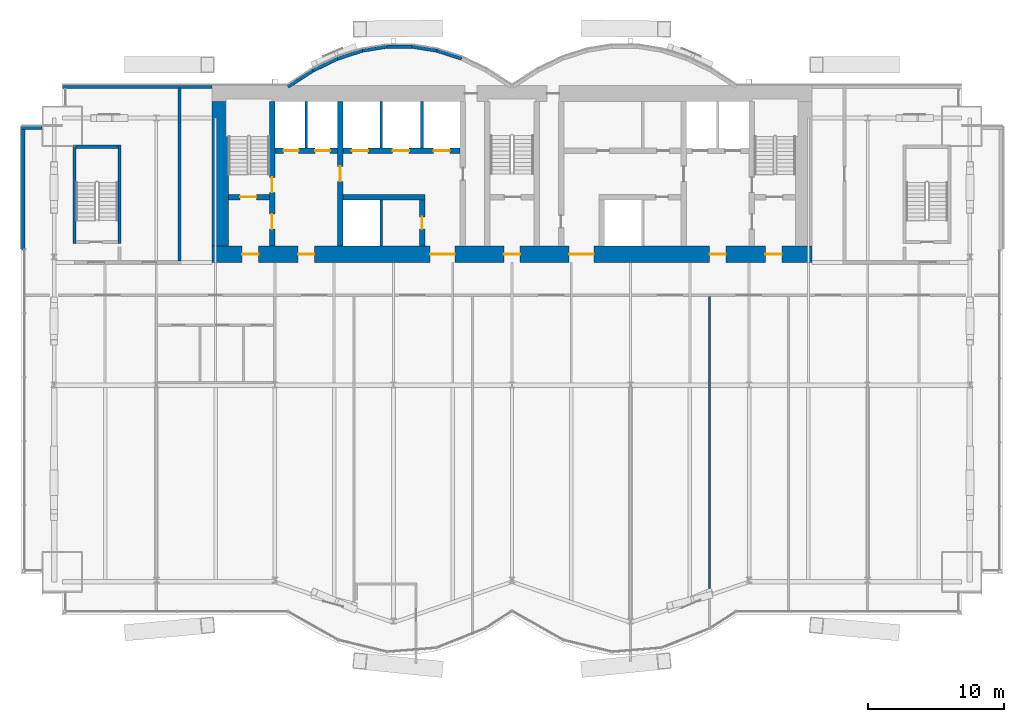
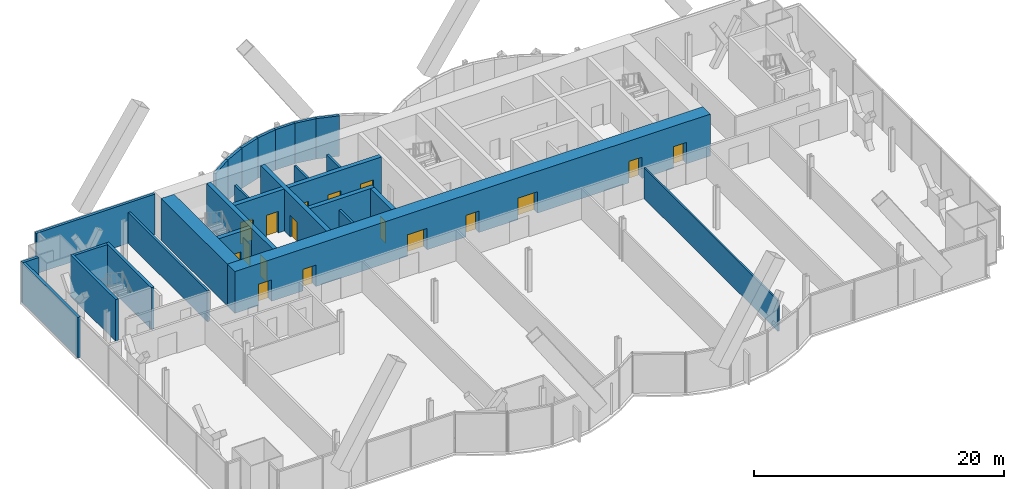
# One storey, part 17 of 22: 27 walls, 17 doors, 17 openings.
"""IFC4 building model written with IfcOpenShell, lengths in metres."""

from ifc_helpers import new_model, si_unit, direction, frame, frame_2d, origin, place, context, subcontext, project, spatial, rectangle, extrude, material, layer, layer_set, layer_usage, type_object, element, fill, save


model = new_model("IFC4")

# Units and contexts
model_context = context("Model", 3, precision=1e-05, world=origin(), true_north=direction((0.0, 1.0)))
body_context = subcontext(model_context, "Body", "Model", "MODEL_VIEW")
ifc_project = project(units=[si_unit("LENGTHUNIT", "METRE"), si_unit("AREAUNIT", "SQUARE_METRE"), si_unit("VOLUMEUNIT", "CUBIC_METRE"), si_unit("PLANEANGLEUNIT", "RADIAN"), si_unit("MASSUNIT", "GRAM", prefix="KILO")], contexts=[model_context])

# Site, building, storey
site_placement = place(None, origin())
site = spatial("IfcSite", under=ifc_project, at=site_placement, CompositionType="ELEMENT")
building_placement = place(site_placement, origin())
building = spatial("IfcBuilding", under=site, at=building_placement, Name="Bicima Exchange Tower", CompositionType="ELEMENT")
storey_placement = place(building_placement, frame((0.0, 0.0, 94.0)))
storey = spatial("IfcBuildingStorey", under=building, at=storey_placement, Name="L19", CompositionType="ELEMENT", Elevation=94.0)

# Walls
ifc_material_1 = material(Name="Gypsum board partition")
ifc_layer_1 = layer(ifc_material_1, 0.199951171875)
ifc_layer_set_1 = layer_set([ifc_layer_1], Name="Gypsum board partition")
wall_type_1 = type_object("IfcWallType", Name="Fire-rated gypsum partition 200 EI120", PredefinedType="PARTITIONING", material=ifc_layer_set_1)
for number, where, z_axis, x_axis, name in (
    (1, (-15.10009765625, -4.60009765625, 0.0), (0.0, 0.0, 1.0), (0.0, 1.0, 0.0), "partition wall 9"),
    (2, (-9.60009765625, -11.800048828125, 0.0), (0.0, 0.0, 1.0), (0.0, 1.0, 0.0), "partition wall 11"),
    (3, (-9.60009765625, -4.60009765625, 0.0), (0.0, 0.0, 1.0), (0.0, 1.0, 0.0), "partition wall 12"),
    (4, (-6.60009765625, -4.60009765625, 0.0), (0.0, 0.0, 1.0), (0.0, 1.0, 0.0), "partition wall 14"),
):
    element("IfcWall", number, at=place(storey_placement, frame(where, z_axis=z_axis, x_axis=x_axis)), inside=storey, type_object=wall_type_1, Name=name, PredefinedType="PARTITIONING", context=body_context, shape_type="SweptSolid", body=[
        extrude(rectangle(XDim=3.400146484375, YDim=0.199951171875, at=frame_2d((1.7001953125, 0.0))), origin(), (0.0, 0.0, 1.0), 3.018310546875),
    ])
ifc_layer_2 = layer(ifc_material_1, 0.199951171875)
ifc_layer_set_2 = layer_set([ifc_layer_2], Name="Gypsum board partition")
wall_type_2 = type_object("IfcWallType", Name="Fire-rated gypsum partition 200 EI60", PredefinedType="PARTITIONING", material=ifc_layer_set_2)
wall_1_placement = place(storey_placement, frame((-24.39990234375, -12.89990234375, 0.0), z_axis=(0.0, 0.0, 1.0), x_axis=(0.0, 1.0, 0.0)))
element("IfcWall", 5, at=wall_1_placement, inside=storey, type_object=wall_type_2, Name="partition wall 18", PredefinedType="PARTITIONING", context=body_context, shape_type="SweptSolid", body=[
    extrude(rectangle(XDim=12.68994140625, YDim=0.199951171875, at=frame_2d((6.344970703125, 0.0))), origin(), (0.0, 0.0, 1.0), 3.018310546875),
])
ifc_layer_3 = layer(ifc_material_1, 0.14990234375)
ifc_layer_set_3 = layer_set([ifc_layer_3], Name="Gypsum board partition")
wall_type_3 = type_object("IfcWallType", Name="Gypsum partition 150", PredefinedType="PARTITIONING", material=ifc_layer_set_3)
wall_2_placement = place(storey_placement, frame((14.5, -36.935302734375, 0.0), z_axis=(0.0, 0.0, 1.0), x_axis=(0.0, 1.0, 0.0)))
element("IfcWall", 6, at=wall_2_placement, inside=storey, type_object=wall_type_3, Name="partition wall 28", PredefinedType="PARTITIONING", context=body_context, shape_type="SweptSolid", body=[
    extrude(rectangle(XDim=21.435302734375, YDim=0.14990234375, at=frame_2d((10.7177734375, 0.0))), origin(), (0.0, 0.0, 1.0), 3.018310546875),
])

# Wall, openings, doors
ifc_material_2 = material(Name="Concrete C60/75", Category="concrete")
ifc_layer_4 = layer(ifc_material_2, 1.199951171875)
ifc_layer_set_4 = layer_set([ifc_layer_4], Name="Concrete C60/75")
wall_type_4 = type_object("IfcWallType", Name="RC core wall 1200 C60/75", PredefinedType="SHEAR", material=ifc_layer_set_4)
wall_3_placement = place(storey_placement, frame((-22.0, -12.39990234375, 0.0), z_axis=(0.0, 0.0, 1.0), x_axis=(1.0, 0.0, 0.0)))
wall_3 = element("IfcWall", 7, at=wall_3_placement, inside=storey, type_object=wall_type_4, Name="Core wall south", PredefinedType="SHEAR", context=body_context, shape_type="SweptSolid", body=[
    extrude(rectangle(XDim=44.0, YDim=1.199951171875, at=frame_2d((22.0, 0.0))), origin(), (0.0, 0.0, 1.0), 4.10009765625),
])
opening_1_placement = place(wall_3_placement, frame((2.199951171875, 0.0, 0.0)))
opening_1 = element("IfcOpeningElement", 8, at=opening_1_placement, cuts=wall_3, Name="Opening L19-C18", PredefinedType="OPENING", context=body_context, shape_type="SweptSolid", body=[
    extrude(rectangle(XDim=1.199951171875, YDim=2.10009765625, at=frame_2d((0.60009765625, 1.050048828125))), frame((0.0, 0.61181640625, 0.0), z_axis=(0.0, -1.0, 0.0), x_axis=(1.0, 0.0, 0.0)), (0.0, 0.0, 1.0), 1.223876953125),
])
opening_2_placement = place(wall_3_placement, frame((21.39990234375, 0.0, 0.0)))
opening_2 = element("IfcOpeningElement", 9, at=opening_2_placement, cuts=wall_3, Name="Opening L19-C19", PredefinedType="OPENING", context=body_context, shape_type="SweptSolid", body=[
    extrude(rectangle(XDim=1.199951171875, YDim=2.10009765625, at=frame_2d((0.60009765625, 1.050048828125))), frame((0.0, 0.61181640625, 0.0), z_axis=(0.0, -1.0, 0.0), x_axis=(1.0, 0.0, 0.0)), (0.0, 0.0, 1.0), 1.223876953125),
])
opening_3_placement = place(wall_3_placement, frame((40.60009765625, 0.0, 0.0)))
opening_3 = element("IfcOpeningElement", 10, at=opening_3_placement, cuts=wall_3, Name="Opening L19-C20", PredefinedType="OPENING", context=body_context, shape_type="SweptSolid", body=[
    extrude(rectangle(XDim=1.199951171875, YDim=2.10009765625, at=frame_2d((0.60009765625, 1.050048828125))), frame((0.0, 0.61181640625, 0.0), z_axis=(0.0, -1.0, 0.0), x_axis=(1.0, 0.0, 0.0)), (0.0, 0.0, 1.0), 1.223876953125),
])
opening_4_placement = place(wall_3_placement, frame((16.0, 0.0, 0.0)))
opening_4 = element("IfcOpeningElement", 11, at=opening_4_placement, cuts=wall_3, Name="Opening L19-C21", PredefinedType="OPENING", context=body_context, shape_type="SweptSolid", body=[
    extrude(rectangle(XDim=1.800048828125, YDim=2.10009765625, at=frame_2d((0.89990234375, 1.050048828125))), frame((0.0, 0.61181640625, 0.0), z_axis=(0.0, -1.0, 0.0), x_axis=(1.0, 0.0, 0.0)), (0.0, 0.0, 1.0), 1.223876953125),
])
opening_5_placement = place(wall_3_placement, frame((6.300048828125, 0.0, 0.0)))
opening_5 = element("IfcOpeningElement", 12, at=opening_5_placement, cuts=wall_3, Name="Opening L19-C22", PredefinedType="OPENING", context=body_context, shape_type="SweptSolid", body=[
    extrude(rectangle(XDim=1.199951171875, YDim=2.10009765625, at=frame_2d((0.60009765625, 1.050048828125))), frame((0.0, 0.61181640625, 0.0), z_axis=(0.0, -1.0, 0.0), x_axis=(1.0, 0.0, 0.0)), (0.0, 0.0, 1.0), 1.223876953125),
])
opening_6_placement = place(wall_3_placement, frame((26.199951171875, 0.0, 0.0)))
opening_6 = element("IfcOpeningElement", 13, at=opening_6_placement, cuts=wall_3, Name="Opening L19-C23", PredefinedType="OPENING", context=body_context, shape_type="SweptSolid", body=[
    extrude(rectangle(XDim=1.800048828125, YDim=2.10009765625, at=frame_2d((0.89990234375, 1.050048828125))), frame((0.0, 0.61181640625, 0.0), z_axis=(0.0, -1.0, 0.0), x_axis=(1.0, 0.0, 0.0)), (0.0, 0.0, 1.0), 1.223876953125),
])
opening_7_placement = place(wall_3_placement, frame((36.5, 0.0, 0.0)))
opening_7 = element("IfcOpeningElement", 14, at=opening_7_placement, cuts=wall_3, Name="Opening L19-C24", PredefinedType="OPENING", context=body_context, shape_type="SweptSolid", body=[
    extrude(rectangle(XDim=1.199951171875, YDim=2.10009765625, at=frame_2d((0.60009765625, 1.050048828125))), frame((0.0, 0.61181640625, 0.0), z_axis=(0.0, -1.0, 0.0), x_axis=(1.0, 0.0, 0.0)), (0.0, 0.0, 1.0), 1.223876953125),
])
ifc_material_3 = material(Name="Steel fire door leaf", Category="steel")
door_type_1 = type_object("IfcDoorType", Name="Door 1200 swing FD60S", OperationType="SINGLE_SWING_LEFT", PredefinedType="DOOR", material=ifc_material_3)
door_1_placement = place(opening_1_placement, frame((1.199951171875, 0.0, 0.0), z_axis=(0.0, 0.0, 1.0), x_axis=(-1.0, 0.0, 0.0)))
door_1 = element("IfcDoor", 15, at=door_1_placement, inside=storey, type_object=door_type_1, Name="Core door", OperationType="SINGLE_SWING_RIGHT", OverallHeight=2.10009765625, OverallWidth=1.199951171875, PredefinedType="DOOR", context=body_context, shape_type="SweptSolid", body=[
    extrude(rectangle(XDim=1.199951171875, YDim=2.10009765625, at=frame_2d((0.60009765625, 1.050048828125))), frame((0.0, 0.02490234375, 0.0), z_axis=(0.0, -1.0, 0.0), x_axis=(1.0, 0.0, 0.0)), (0.0, 0.0, 1.0), 0.050048828125),
])
fill(opening_1, door_1)
door_2_placement = place(opening_2_placement, frame((1.199951171875, 0.0, 0.0), z_axis=(0.0, 0.0, 1.0), x_axis=(-1.0, 0.0, 0.0)))
door_2 = element("IfcDoor", 16, at=door_2_placement, inside=storey, type_object=door_type_1, Name="Core door", OperationType="SINGLE_SWING_RIGHT", OverallHeight=2.10009765625, OverallWidth=1.199951171875, PredefinedType="DOOR", context=body_context, shape_type="SweptSolid", body=[
    extrude(rectangle(XDim=1.199951171875, YDim=2.10009765625, at=frame_2d((0.60009765625, 1.050048828125))), frame((0.0, 0.02490234375, 0.0), z_axis=(0.0, -1.0, 0.0), x_axis=(1.0, 0.0, 0.0)), (0.0, 0.0, 1.0), 0.050048828125),
])
fill(opening_2, door_2)
door_3_placement = place(opening_3_placement, frame((1.199951171875, 0.0, 0.0), z_axis=(0.0, 0.0, 1.0), x_axis=(-1.0, 0.0, 0.0)))
door_3 = element("IfcDoor", 17, at=door_3_placement, inside=storey, type_object=door_type_1, Name="Core door", OperationType="SINGLE_SWING_RIGHT", OverallHeight=2.10009765625, OverallWidth=1.199951171875, PredefinedType="DOOR", context=body_context, shape_type="SweptSolid", body=[
    extrude(rectangle(XDim=1.199951171875, YDim=2.10009765625, at=frame_2d((0.60009765625, 1.050048828125))), frame((0.0, 0.02490234375, 0.0), z_axis=(0.0, -1.0, 0.0), x_axis=(1.0, 0.0, 0.0)), (0.0, 0.0, 1.0), 0.050048828125),
])
fill(opening_3, door_3)
door_4_placement = place(opening_5_placement, frame((1.199951171875, 0.0, 0.0), z_axis=(0.0, 0.0, 1.0), x_axis=(-1.0, 0.0, 0.0)))
door_4 = element("IfcDoor", 18, at=door_4_placement, inside=storey, type_object=door_type_1, Name="Core door", OperationType="SINGLE_SWING_RIGHT", OverallHeight=2.10009765625, OverallWidth=1.199951171875, PredefinedType="DOOR", context=body_context, shape_type="SweptSolid", body=[
    extrude(rectangle(XDim=1.199951171875, YDim=2.10009765625, at=frame_2d((0.60009765625, 1.050048828125))), frame((0.0, 0.02490234375, 0.0), z_axis=(0.0, -1.0, 0.0), x_axis=(1.0, 0.0, 0.0)), (0.0, 0.0, 1.0), 0.050048828125),
])
fill(opening_5, door_4)
door_5_placement = place(opening_7_placement, frame((1.199951171875, 0.0, 0.0), z_axis=(0.0, 0.0, 1.0), x_axis=(-1.0, 0.0, 0.0)))
door_5 = element("IfcDoor", 19, at=door_5_placement, inside=storey, type_object=door_type_1, Name="Core door", OperationType="SINGLE_SWING_RIGHT", OverallHeight=2.10009765625, OverallWidth=1.199951171875, PredefinedType="DOOR", context=body_context, shape_type="SweptSolid", body=[
    extrude(rectangle(XDim=1.199951171875, YDim=2.10009765625, at=frame_2d((0.60009765625, 1.050048828125))), frame((0.0, 0.02490234375, 0.0), z_axis=(0.0, -1.0, 0.0), x_axis=(1.0, 0.0, 0.0)), (0.0, 0.0, 1.0), 0.050048828125),
])
fill(opening_7, door_5)
door_type_2 = type_object("IfcDoorType", Name="Door 1800 double swing FD30S", OperationType="DOUBLE_DOOR_SINGLE_SWING", PredefinedType="DOOR", material=ifc_material_3)
door_6_placement = place(opening_4_placement, origin())
door_6 = element("IfcDoor", 20, at=door_6_placement, inside=storey, type_object=door_type_2, Name="Core door", OperationType="SINGLE_SWING_LEFT", OverallHeight=2.10009765625, OverallWidth=1.800048828125, PredefinedType="DOOR", context=body_context, shape_type="SweptSolid", body=[
    extrude(rectangle(XDim=1.800048828125, YDim=2.10009765625, at=frame_2d((0.89990234375, 1.050048828125))), frame((0.0, 0.02490234375, 0.0), z_axis=(0.0, -1.0, 0.0), x_axis=(1.0, 0.0, 0.0)), (0.0, 0.0, 1.0), 0.050048828125),
])
fill(opening_4, door_6)
door_7_placement = place(opening_6_placement, origin())
door_7 = element("IfcDoor", 21, at=door_7_placement, inside=storey, type_object=door_type_2, Name="Core door", OperationType="SINGLE_SWING_LEFT", OverallHeight=2.10009765625, OverallWidth=1.800048828125, PredefinedType="DOOR", context=body_context, shape_type="SweptSolid", body=[
    extrude(rectangle(XDim=1.800048828125, YDim=2.10009765625, at=frame_2d((0.89990234375, 1.050048828125))), frame((0.0, 0.02490234375, 0.0), z_axis=(0.0, -1.0, 0.0), x_axis=(1.0, 0.0, 0.0)), (0.0, 0.0, 1.0), 0.050048828125),
])
fill(opening_6, door_7)

# Wall
wall_4_placement = place(storey_placement, frame((-21.39990234375, -11.800048828125, 0.0), z_axis=(0.0, 0.0, 1.0), x_axis=(0.0, 1.0, 0.0)))
element("IfcWall", 22, at=wall_4_placement, inside=storey, type_object=wall_type_4, Name="Core wall west", PredefinedType="SHEAR", context=body_context, shape_type="SweptSolid", body=[
    extrude(rectangle(XDim=10.60009765625, YDim=1.199951171875, at=frame_2d((5.300048828125, 0.0))), origin(), (0.0, 0.0, 1.0), 4.10009765625),
])

# Wall, opening, door
ifc_material_4 = material(Name="Concrete C50/60", Category="concrete")
ifc_layer_5 = layer(ifc_material_4, 0.39990234375)
ifc_layer_set_5 = layer_set([ifc_layer_5], Name="Concrete C50/60")
wall_type_5 = type_object("IfcWallType", Name="RC core wall 400 C50/60", PredefinedType="SHEAR", material=ifc_layer_set_5)
wall_5_placement = place(storey_placement, frame((-20.800048828125, -8.199951171875, 0.0), z_axis=(0.0, 0.0, 1.0), x_axis=(1.0, 0.0, 0.0)))
wall_5 = element("IfcWall", 23, at=wall_5_placement, inside=storey, type_object=wall_type_5, Name="stair wall 1", PredefinedType="SHEAR", context=body_context, shape_type="SweptSolid", body=[
    extrude(rectangle(XDim=3.0, YDim=0.39990234375, at=frame_2d((1.5, 0.0))), origin(), (0.0, 0.0, 1.0), 4.10009765625),
])
opening_8_placement = place(wall_5_placement, frame((0.85009765625, 0.0, 0.0)))
opening_8 = element("IfcOpeningElement", 24, at=opening_8_placement, cuts=wall_5, Name="Opening L19-C01", PredefinedType="OPENING", context=body_context, shape_type="SweptSolid", body=[
    extrude(rectangle(XDim=1.199951171875, YDim=2.10009765625, at=frame_2d((0.60009765625, 1.050048828125))), frame((0.0, 0.2119140625, 0.0), z_axis=(0.0, -1.0, 0.0), x_axis=(1.0, 0.0, 0.0)), (0.0, 0.0, 1.0), 0.423828125),
])
door_8_placement = place(opening_8_placement, origin())
door_8 = element("IfcDoor", 25, at=door_8_placement, inside=storey, type_object=door_type_1, Name="Core door", OperationType="SINGLE_SWING_LEFT", OverallHeight=2.10009765625, OverallWidth=1.199951171875, PredefinedType="DOOR", context=body_context, shape_type="SweptSolid", body=[
    extrude(rectangle(XDim=1.199951171875, YDim=2.10009765625, at=frame_2d((0.60009765625, 1.050048828125))), frame((0.0, 0.02490234375, 0.0), z_axis=(0.0, -1.0, 0.0), x_axis=(1.0, 0.0, 0.0)), (0.0, 0.0, 1.0), 0.050048828125),
])
fill(opening_8, door_8)

# Wall, openings, doors
wall_6_placement = place(storey_placement, frame((-17.60009765625, -11.800048828125, 0.0), z_axis=(0.0, 0.0, 1.0), x_axis=(0.0, 1.0, 0.0)))
wall_6 = element("IfcWall", 26, at=wall_6_placement, inside=storey, type_object=wall_type_5, Name="stair wall 8", PredefinedType="SHEAR", context=body_context, shape_type="SweptSolid", body=[
    extrude(rectangle(XDim=10.60009765625, YDim=0.39990234375, at=frame_2d((5.300048828125, 0.0))), origin(), (0.0, 0.0, 1.0), 4.10009765625),
])
opening_9_placement = place(wall_6_placement, frame((1.25, 0.0, 0.0)))
opening_9 = element("IfcOpeningElement", 27, at=opening_9_placement, cuts=wall_6, Name="Opening L19-C02", PredefinedType="OPENING", context=body_context, shape_type="SweptSolid", body=[
    extrude(rectangle(XDim=1.10009765625, YDim=2.10009765625, at=frame_2d((0.550048828125, 1.050048828125))), frame((0.0, 0.2119140625, 0.0), z_axis=(0.0, -1.0, 0.0), x_axis=(1.0, 0.0, 0.0)), (0.0, 0.0, 1.0), 0.423828125),
])
opening_10_placement = place(wall_6_placement, frame((3.949951171875, 0.0, 0.0)))
opening_10 = element("IfcOpeningElement", 28, at=opening_10_placement, cuts=wall_6, Name="Opening L19-C06", PredefinedType="OPENING", context=body_context, shape_type="SweptSolid", body=[
    extrude(rectangle(XDim=1.10009765625, YDim=2.10009765625, at=frame_2d((0.550048828125, 1.050048828125))), frame((0.0, 0.2119140625, 0.0), z_axis=(0.0, -1.0, 0.0), x_axis=(1.0, 0.0, 0.0)), (0.0, 0.0, 1.0), 0.423828125),
])
door_type_3 = type_object("IfcDoorType", Name="Door 1100 swing FD60S", OperationType="SINGLE_SWING_LEFT", PredefinedType="DOOR", material=ifc_material_3)
door_9_placement = place(opening_9_placement, frame((1.10009765625, 0.0, 0.0), z_axis=(0.0, 0.0, 1.0), x_axis=(-1.0, 0.0, 0.0)))
door_9 = element("IfcDoor", 29, at=door_9_placement, inside=storey, type_object=door_type_3, Name="Core door", OperationType="SINGLE_SWING_LEFT", OverallHeight=2.10009765625, OverallWidth=1.10009765625, PredefinedType="DOOR", context=body_context, shape_type="SweptSolid", body=[
    extrude(rectangle(XDim=1.10009765625, YDim=2.10009765625, at=frame_2d((0.550048828125, 1.050048828125))), frame((0.0, 0.02490234375, 0.0), z_axis=(0.0, -1.0, 0.0), x_axis=(1.0, 0.0, 0.0)), (0.0, 0.0, 1.0), 0.050048828125),
])
fill(opening_9, door_9)
door_10_placement = place(opening_10_placement, frame((1.10009765625, 0.0, 0.0), z_axis=(0.0, 0.0, 1.0), x_axis=(-1.0, 0.0, 0.0)))
door_10 = element("IfcDoor", 30, at=door_10_placement, inside=storey, type_object=door_type_3, Name="Core door", OperationType="SINGLE_SWING_LEFT", OverallHeight=2.10009765625, OverallWidth=1.10009765625, PredefinedType="DOOR", context=body_context, shape_type="SweptSolid", body=[
    extrude(rectangle(XDim=1.10009765625, YDim=2.10009765625, at=frame_2d((0.550048828125, 1.050048828125))), frame((0.0, 0.02490234375, 0.0), z_axis=(0.0, -1.0, 0.0), x_axis=(1.0, 0.0, 0.0)), (0.0, 0.0, 1.0), 0.050048828125),
])
fill(opening_10, door_10)

# Wall
ifc_layer_6 = layer(ifc_material_2, 0.39990234375)
ifc_layer_set_6 = layer_set([ifc_layer_6], Name="Concrete C60/75")
wall_type_6 = type_object("IfcWallType", Name="RC core wall 400 C60/75", PredefinedType="SHEAR", material=ifc_layer_set_6)
wall_7_placement = place(storey_placement, frame((-12.39990234375, -8.199951171875, 0.0), z_axis=(0.0, 0.0, 1.0), x_axis=(1.0, 0.0, 0.0)))
element("IfcWall", 31, at=wall_7_placement, inside=storey, type_object=wall_type_6, Name="shear wall 2", PredefinedType="SHEAR", context=body_context, shape_type="SweptSolid", body=[
    extrude(rectangle(XDim=6.0, YDim=0.39990234375, at=frame_2d((3.0, 0.0))), origin(), (0.0, 0.0, 1.0), 4.10009765625),
])

# Wall, openings, doors
wall_8_placement = place(storey_placement, frame((-17.39990234375, -4.800048828125, 0.0), z_axis=(0.0, 0.0, 1.0), x_axis=(1.0, 0.0, 0.0)))
wall_8 = element("IfcWall", 32, at=wall_8_placement, inside=storey, type_object=wall_type_6, Name="shear wall 6", PredefinedType="SHEAR", context=body_context, shape_type="SweptSolid", body=[
    extrude(rectangle(XDim=13.599853515625, YDim=0.39990234375, at=frame_2d((6.7998046875, 0.0))), origin(), (0.0, 0.0, 1.0), 4.10009765625),
])
opening_11_placement = place(wall_8_placement, frame((0.64990234375, 0.0, 0.0)))
opening_11 = element("IfcOpeningElement", 33, at=opening_11_placement, cuts=wall_8, Name="Opening LD-FF1-L19", PredefinedType="OPENING", context=body_context, shape_type="SweptSolid", body=[
    extrude(rectangle(XDim=1.10009765625, YDim=2.10009765625, at=frame_2d((0.550048828125, 1.050048828125))), frame((0.0, 0.2119140625, 0.0), z_axis=(0.0, -1.0, 0.0), x_axis=(1.0, 0.0, 0.0)), (0.0, 0.0, 1.0), 0.423828125),
])
opening_12_placement = place(wall_8_placement, frame((2.949951171875, 0.0, 0.0)))
opening_12 = element("IfcOpeningElement", 34, at=opening_12_placement, cuts=wall_8, Name="Opening LD-FF3-L19", PredefinedType="OPENING", context=body_context, shape_type="SweptSolid", body=[
    extrude(rectangle(XDim=1.10009765625, YDim=2.10009765625, at=frame_2d((0.550048828125, 1.050048828125))), frame((0.0, 0.2119140625, 0.0), z_axis=(0.0, -1.0, 0.0), x_axis=(1.0, 0.0, 0.0)), (0.0, 0.0, 1.0), 0.423828125),
])
opening_13_placement = place(wall_8_placement, frame((5.64990234375, 0.0, 0.0)))
opening_13 = element("IfcOpeningElement", 35, at=opening_13_placement, cuts=wall_8, Name="Opening LD-LB1-L19", PredefinedType="OPENING", context=body_context, shape_type="SweptSolid", body=[
    extrude(rectangle(XDim=1.199951171875, YDim=2.10009765625, at=frame_2d((0.60009765625, 1.050048828125))), frame((0.0, 0.2119140625, 0.0), z_axis=(0.0, -1.0, 0.0), x_axis=(1.0, 0.0, 0.0)), (0.0, 0.0, 1.0), 0.423828125),
])
opening_14_placement = place(wall_8_placement, frame((8.64990234375, 0.0, 0.0)))
opening_14 = element("IfcOpeningElement", 36, at=opening_14_placement, cuts=wall_8, Name="Opening LD-LB2-L19", PredefinedType="OPENING", context=body_context, shape_type="SweptSolid", body=[
    extrude(rectangle(XDim=1.199951171875, YDim=2.10009765625, at=frame_2d((0.60009765625, 1.050048828125))), frame((0.0, 0.2119140625, 0.0), z_axis=(0.0, -1.0, 0.0), x_axis=(1.0, 0.0, 0.0)), (0.0, 0.0, 1.0), 0.423828125),
])
opening_15_placement = place(wall_8_placement, frame((11.64990234375, 0.0, 0.0)))
opening_15 = element("IfcOpeningElement", 37, at=opening_15_placement, cuts=wall_8, Name="Opening LD-LB3-L19", PredefinedType="OPENING", context=body_context, shape_type="SweptSolid", body=[
    extrude(rectangle(XDim=1.199951171875, YDim=2.10009765625, at=frame_2d((0.60009765625, 1.050048828125))), frame((0.0, 0.2119140625, 0.0), z_axis=(0.0, -1.0, 0.0), x_axis=(1.0, 0.0, 0.0)), (0.0, 0.0, 1.0), 0.423828125),
])
ifc_material_5 = material(Name="Stainless steel", Category="steel")
door_type_4 = type_object("IfcDoorType", Name="Lift landing door 1100 sliding", OperationType="DOUBLE_DOOR_SLIDING", PredefinedType="DOOR", material=ifc_material_5)
door_11_placement = place(opening_11_placement, origin())
door_11 = element("IfcDoor", 38, at=door_11_placement, inside=storey, type_object=door_type_4, Name="Lift landing door FF1", OperationType="DOUBLE_DOOR_SLIDING", OverallHeight=2.10009765625, OverallWidth=1.10009765625, PredefinedType="DOOR", context=body_context, shape_type="SweptSolid", body=[
    extrude(rectangle(XDim=1.10009765625, YDim=2.10009765625, at=frame_2d((0.550048828125, 1.050048828125))), frame((0.0, 0.02490234375, 0.0), z_axis=(0.0, -1.0, 0.0), x_axis=(1.0, 0.0, 0.0)), (0.0, 0.0, 1.0), 0.050048828125),
])
fill(opening_11, door_11)
door_12_placement = place(opening_12_placement, origin())
door_12 = element("IfcDoor", 39, at=door_12_placement, inside=storey, type_object=door_type_4, Name="Lift landing door FF3", OperationType="DOUBLE_DOOR_SLIDING", OverallHeight=2.10009765625, OverallWidth=1.10009765625, PredefinedType="DOOR", context=body_context, shape_type="SweptSolid", body=[
    extrude(rectangle(XDim=1.10009765625, YDim=2.10009765625, at=frame_2d((0.550048828125, 1.050048828125))), frame((0.0, 0.02490234375, 0.0), z_axis=(0.0, -1.0, 0.0), x_axis=(1.0, 0.0, 0.0)), (0.0, 0.0, 1.0), 0.050048828125),
])
fill(opening_12, door_12)
door_type_5 = type_object("IfcDoorType", Name="Lift landing door 1200 sliding", OperationType="DOUBLE_DOOR_SLIDING", PredefinedType="DOOR", material=ifc_material_5)
door_13_placement = place(opening_13_placement, origin())
door_13 = element("IfcDoor", 40, at=door_13_placement, inside=storey, type_object=door_type_5, Name="Lift landing door LB1", OperationType="DOUBLE_DOOR_SLIDING", OverallHeight=2.10009765625, OverallWidth=1.199951171875, PredefinedType="DOOR", context=body_context, shape_type="SweptSolid", body=[
    extrude(rectangle(XDim=1.199951171875, YDim=2.10009765625, at=frame_2d((0.60009765625, 1.050048828125))), frame((0.0, 0.02490234375, 0.0), z_axis=(0.0, -1.0, 0.0), x_axis=(1.0, 0.0, 0.0)), (0.0, 0.0, 1.0), 0.050048828125),
])
fill(opening_13, door_13)
door_14_placement = place(opening_14_placement, origin())
door_14 = element("IfcDoor", 41, at=door_14_placement, inside=storey, type_object=door_type_5, Name="Lift landing door LB2", OperationType="DOUBLE_DOOR_SLIDING", OverallHeight=2.10009765625, OverallWidth=1.199951171875, PredefinedType="DOOR", context=body_context, shape_type="SweptSolid", body=[
    extrude(rectangle(XDim=1.199951171875, YDim=2.10009765625, at=frame_2d((0.60009765625, 1.050048828125))), frame((0.0, 0.02490234375, 0.0), z_axis=(0.0, -1.0, 0.0), x_axis=(1.0, 0.0, 0.0)), (0.0, 0.0, 1.0), 0.050048828125),
])
fill(opening_14, door_14)
door_15_placement = place(opening_15_placement, origin())
door_15 = element("IfcDoor", 42, at=door_15_placement, inside=storey, type_object=door_type_5, Name="Lift landing door LB3", OperationType="DOUBLE_DOOR_SLIDING", OverallHeight=2.10009765625, OverallWidth=1.199951171875, PredefinedType="DOOR", context=body_context, shape_type="SweptSolid", body=[
    extrude(rectangle(XDim=1.199951171875, YDim=2.10009765625, at=frame_2d((0.60009765625, 1.050048828125))), frame((0.0, 0.02490234375, 0.0), z_axis=(0.0, -1.0, 0.0), x_axis=(1.0, 0.0, 0.0)), (0.0, 0.0, 1.0), 0.050048828125),
])
fill(opening_15, door_15)

# Wall, opening, door
wall_9_placement = place(storey_placement, frame((-12.60009765625, -11.800048828125, 0.0), z_axis=(0.0, 0.0, 1.0), x_axis=(0.0, 1.0, 0.0)))
wall_9 = element("IfcWall", 43, at=wall_9_placement, inside=storey, type_object=wall_type_6, Name="shear wall 10", PredefinedType="SHEAR", context=body_context, shape_type="SweptSolid", body=[
    extrude(rectangle(XDim=10.60009765625, YDim=0.39990234375, at=frame_2d((5.300048828125, 0.0))), origin(), (0.0, 0.0, 1.0), 4.10009765625),
])
opening_16_placement = place(wall_9_placement, frame((4.75, 0.0, 0.0)))
opening_16 = element("IfcOpeningElement", 44, at=opening_16_placement, cuts=wall_9, Name="Opening L19-C07", PredefinedType="OPENING", context=body_context, shape_type="SweptSolid", body=[
    extrude(rectangle(XDim=1.10009765625, YDim=2.10009765625, at=frame_2d((0.550048828125, 1.050048828125))), frame((0.0, 0.2119140625, 0.0), z_axis=(0.0, -1.0, 0.0), x_axis=(1.0, 0.0, 0.0)), (0.0, 0.0, 1.0), 0.423828125),
])
door_16_placement = place(opening_16_placement, origin())
door_16 = element("IfcDoor", 45, at=door_16_placement, inside=storey, type_object=door_type_3, Name="Core door", OperationType="SINGLE_SWING_LEFT", OverallHeight=2.10009765625, OverallWidth=1.10009765625, PredefinedType="DOOR", context=body_context, shape_type="SweptSolid", body=[
    extrude(rectangle(XDim=1.10009765625, YDim=2.10009765625, at=frame_2d((0.550048828125, 1.050048828125))), frame((0.0, 0.02490234375, 0.0), z_axis=(0.0, -1.0, 0.0), x_axis=(1.0, 0.0, 0.0)), (0.0, 0.0, 1.0), 0.050048828125),
])
fill(opening_16, door_16)

wall_10_placement = place(storey_placement, frame((-6.60009765625, -11.800048828125, 0.0), z_axis=(0.0, 0.0, 1.0), x_axis=(0.0, 1.0, 0.0)))
wall_10 = element("IfcWall", 46, at=wall_10_placement, inside=storey, type_object=wall_type_6, Name="shear wall 13", PredefinedType="SHEAR", context=body_context, shape_type="SweptSolid", body=[
    extrude(rectangle(XDim=3.400146484375, YDim=0.39990234375, at=frame_2d((1.7001953125, 0.0))), origin(), (0.0, 0.0, 1.0), 4.10009765625),
])
opening_17_placement = place(wall_10_placement, frame((1.25, 0.0, 0.0)))
opening_17 = element("IfcOpeningElement", 47, at=opening_17_placement, cuts=wall_10, Name="Opening L19-C14", PredefinedType="OPENING", context=body_context, shape_type="SweptSolid", body=[
    extrude(rectangle(XDim=0.89990234375, YDim=2.10009765625, at=frame_2d((0.449951171875, 1.050048828125))), frame((0.0, 0.2119140625, 0.0), z_axis=(0.0, -1.0, 0.0), x_axis=(1.0, 0.0, 0.0)), (0.0, 0.0, 1.0), 0.423828125),
])
door_type_6 = type_object("IfcDoorType", Name="Door 900 swing FD30S", OperationType="SINGLE_SWING_LEFT", PredefinedType="DOOR", material=ifc_material_3)
door_17_placement = place(opening_17_placement, origin())
door_17 = element("IfcDoor", 48, at=door_17_placement, inside=storey, type_object=door_type_6, Name="Core door", OperationType="SINGLE_SWING_RIGHT", OverallHeight=2.10009765625, OverallWidth=0.89990234375, PredefinedType="DOOR", context=body_context, shape_type="SweptSolid", body=[
    extrude(rectangle(XDim=0.89990234375, YDim=2.10009765625, at=frame_2d((0.449951171875, 1.050048828125))), frame((0.0, 0.02490234375, 0.0), z_axis=(0.0, -1.0, 0.0), x_axis=(1.0, 0.0, 0.0)), (0.0, 0.0, 1.0), 0.050048828125),
])
fill(opening_17, door_17)

# Walls
ifc_layer_7 = layer(ifc_material_4, 0.25)
ifc_layer_set_7 = layer_set([ifc_layer_7], Name="Concrete C50/60")
wall_type_7 = type_object("IfcWallType", Name="RC stair enclosure wall 250 C50/60", PredefinedType="SHEAR", material=ifc_layer_set_7)
for number, where, z_axis, x_axis, name in (
    (49, (-32.10009765625, -11.625, 0.0), (0.0, 0.0, 1.0), (0.0, 1.0, 0.0), "West end exit stair wall W"),
    (50, (-28.800048828125, -11.625, 0.0), (0.0, 0.0, 1.0), (0.0, 1.0, 0.0), "West end exit stair wall E"),
):
    element("IfcWall", number, at=place(storey_placement, frame(where, z_axis=z_axis, x_axis=x_axis)), inside=storey, type_object=wall_type_7, Name=name, PredefinedType="SHEAR", context=body_context, shape_type="SweptSolid", body=[
        extrude(rectangle(XDim=7.25, YDim=0.25, at=frame_2d((3.625, 0.0))), origin(), (0.0, 0.0, 1.0), 4.10009765625),
    ])
wall_11_placement = place(storey_placement, frame((-31.97509765625, -4.5, 0.0), z_axis=(0.0, 0.0, 1.0), x_axis=(1.0, 0.0, 0.0)))
element("IfcWall", 51, at=wall_11_placement, inside=storey, type_object=wall_type_7, Name="West end exit stair wall N", PredefinedType="SHEAR", context=body_context, shape_type="SweptSolid", body=[
    extrude(rectangle(XDim=3.050048828125, YDim=0.25, at=frame_2d((1.52490234375, 0.0))), origin(), (0.0, 0.0, 1.0), 4.10009765625),
])
ifc_material_6 = material(Name="Concrete C40/50", Category="concrete")
ifc_layer_8 = layer(ifc_material_6, 0.25)
ifc_layer_set_8 = layer_set([ifc_layer_8], Name="Concrete C40/50")
ifc_layer_usage = layer_usage(ifc_layer_set_8, "AXIS2", "POSITIVE", -0.125)
wall_type_8 = type_object("IfcWallType", Name="Rear backup wall 250", PredefinedType="STANDARD", material=ifc_layer_set_8)
wall_12_placement = place(storey_placement, frame((-3.705078125, 1.955078125, 0.0), z_axis=(0.0, 0.0, 1.0), x_axis=(-0.951495806175, 0.307661714928, 0.0)))
element("IfcWall", 52, at=wall_12_placement, inside=storey, type_object=wall_type_8, material=ifc_layer_usage, Name="Rear backup wall L19 13", PredefinedType="STANDARD", context=body_context, shape_type="SweptSolid", body=[
    extrude(rectangle(XDim=1.9267578125, YDim=0.25, at=frame_2d((0.96337890625, 0.0))), origin(), (0.0, 0.0, 1.0), 3.949951171875),
])
wall_13_placement = place(storey_placement, frame((-5.52001953125, 2.543212890625, 0.0), z_axis=(0.0, 0.0, 1.0), x_axis=(-0.987181718931, 0.159600293885, 0.0)))
element("IfcWall", 53, at=wall_13_placement, inside=storey, type_object=wall_type_8, material=ifc_layer_usage, Name="Rear backup wall L19 14", PredefinedType="STANDARD", context=body_context, shape_type="SweptSolid", body=[
    extrude(rectangle(XDim=1.857177734375, YDim=0.25, at=frame_2d((0.9287109375, 0.0))), origin(), (0.0, 0.0, 1.0), 3.949951171875),
])
wall_14_placement = place(storey_placement, frame((-7.333251953125, 2.837890625, 0.0), z_axis=(0.0, 0.0, 1.0), x_axis=(-1.0, 0.0, 0.0)))
element("IfcWall", 54, at=wall_14_placement, inside=storey, type_object=wall_type_8, material=ifc_layer_usage, Name="Rear backup wall L19 15", PredefinedType="STANDARD", context=body_context, shape_type="SweptSolid", body=[
    extrude(rectangle(XDim=1.83349609375, YDim=0.25, at=frame_2d((0.916748046875, 0.0))), origin(), (0.0, 0.0, 1.0), 3.949951171875),
])
wall_15_placement = place(storey_placement, frame((-9.146728515625, 2.839599609375, 0.0), z_axis=(0.0, 0.0, 1.0), x_axis=(-0.987181718931, -0.159600293885, 0.0)))
element("IfcWall", 55, at=wall_15_placement, inside=storey, type_object=wall_type_8, material=ifc_layer_usage, Name="Rear backup wall L19 16", PredefinedType="STANDARD", context=body_context, shape_type="SweptSolid", body=[
    extrude(rectangle(XDim=1.857177734375, YDim=0.25, at=frame_2d((0.9287109375, 0.0))), origin(), (0.0, 0.0, 1.0), 3.949951171875),
])
wall_16_placement = place(storey_placement, frame((-10.961669921875, 2.5478515625, 0.0), z_axis=(0.0, 0.0, 1.0), x_axis=(-0.951495806175, -0.307661714928, 0.0)))
element("IfcWall", 56, at=wall_16_placement, inside=storey, type_object=wall_type_8, material=ifc_layer_usage, Name="Rear backup wall L19 17", PredefinedType="STANDARD", context=body_context, shape_type="SweptSolid", body=[
    extrude(rectangle(XDim=1.9267578125, YDim=0.25, at=frame_2d((0.96337890625, 0.0))), origin(), (0.0, 0.0, 1.0), 3.949951171875),
])
wall_17_placement = place(storey_placement, frame((-12.77880859375, 1.961669921875, 0.0), z_axis=(0.0, 0.0, 1.0), x_axis=(-0.89982408427, -0.436252928206, 0.0)))
element("IfcWall", 57, at=wall_17_placement, inside=storey, type_object=wall_type_8, material=ifc_layer_usage, Name="Rear backup wall L19 18", PredefinedType="STANDARD", context=body_context, shape_type="SweptSolid", body=[
    extrude(rectangle(XDim=2.03759765625, YDim=0.25, at=frame_2d((1.018798828125, 0.0))), origin(), (0.0, 0.0, 1.0), 3.949951171875),
])
wall_18_placement = place(storey_placement, frame((-14.598876953125, 1.080078125, 0.0), z_axis=(0.0, 0.0, 1.0), x_axis=(-0.83981312244, -0.542875602121, 0.0)))
element("IfcWall", 58, at=wall_18_placement, inside=storey, type_object=wall_type_8, material=ifc_layer_usage, Name="Rear backup wall L19 19", PredefinedType="STANDARD", context=body_context, shape_type="SweptSolid", body=[
    extrude(rectangle(XDim=2.182861328125, YDim=0.25, at=frame_2d((1.09130859375, 0.0))), origin(), (0.0, 0.0, 1.0), 3.949951171875),
])
wall_19_placement = place(storey_placement, frame((-22.0, -0.125, 0.0), z_axis=(0.0, 0.0, 1.0), x_axis=(-1.0, 0.0, 0.0)))
element("IfcWall", 59, at=wall_19_placement, inside=storey, type_object=wall_type_8, material=ifc_layer_usage, Name="Rear backup wall L19 20", PredefinedType="STANDARD", context=body_context, shape_type="SweptSolid", body=[
    extrude(rectangle(XDim=11.0, YDim=0.25, at=frame_2d((5.5, 0.0))), origin(), (0.0, 0.0, 1.0), 3.949951171875),
])
wall_20_placement = place(storey_placement, frame((-34.5, -3.125, 0.0), z_axis=(0.0, 0.0, 1.0), x_axis=(-1.0, 0.0, 0.0)))
element("IfcWall", 60, at=wall_20_placement, inside=storey, type_object=wall_type_8, material=ifc_layer_usage, Name="Rear backup wall L19 22", PredefinedType="STANDARD", context=body_context, shape_type="SweptSolid", body=[
    extrude(rectangle(XDim=1.5, YDim=0.25, at=frame_2d((0.75, 0.0))), origin(), (0.0, 0.0, 1.0), 3.949951171875),
])
wall_21_placement = place(storey_placement, frame((-35.875, -3.0, 0.0), z_axis=(0.0, 0.0, 1.0), x_axis=(0.0, -1.0, 0.0)))
element("IfcWall", 61, at=wall_21_placement, inside=storey, type_object=wall_type_8, material=ifc_layer_usage, Name="Rear backup wall L19 23", PredefinedType="STANDARD", context=body_context, shape_type="SweptSolid", body=[
    extrude(rectangle(XDim=9.090087890625, YDim=0.25, at=frame_2d((4.544921875, 0.0))), origin(), (0.0, 0.0, 1.0), 3.949951171875),
])

save(model, "model.ifc")
